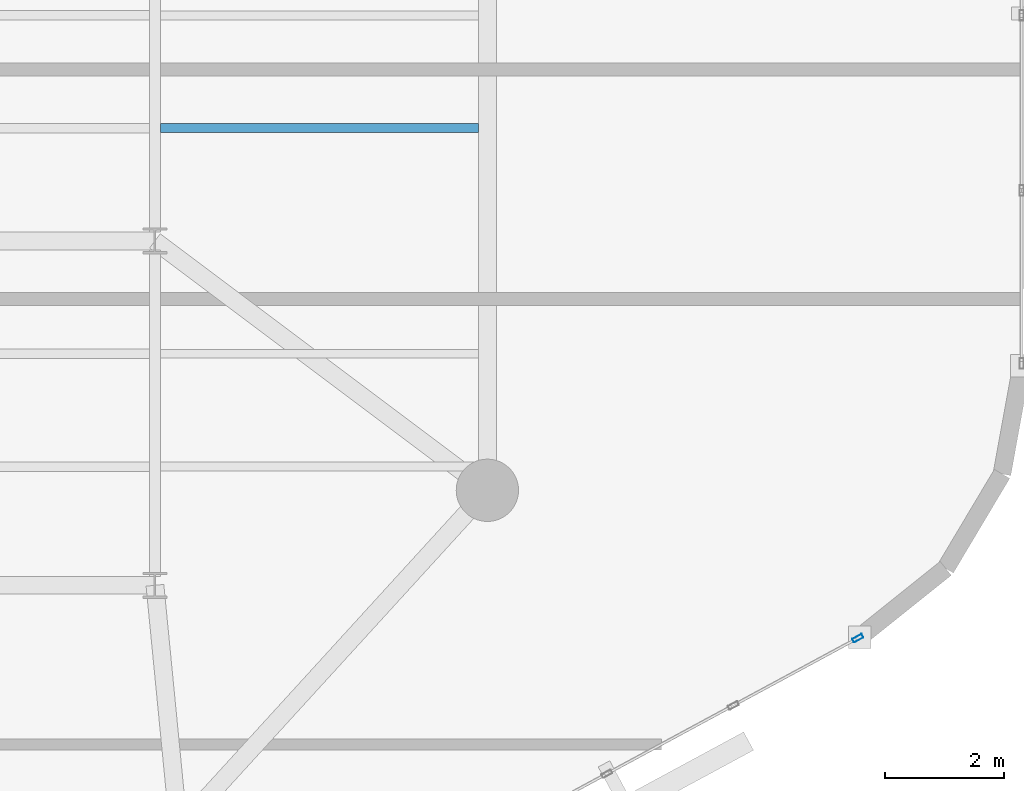
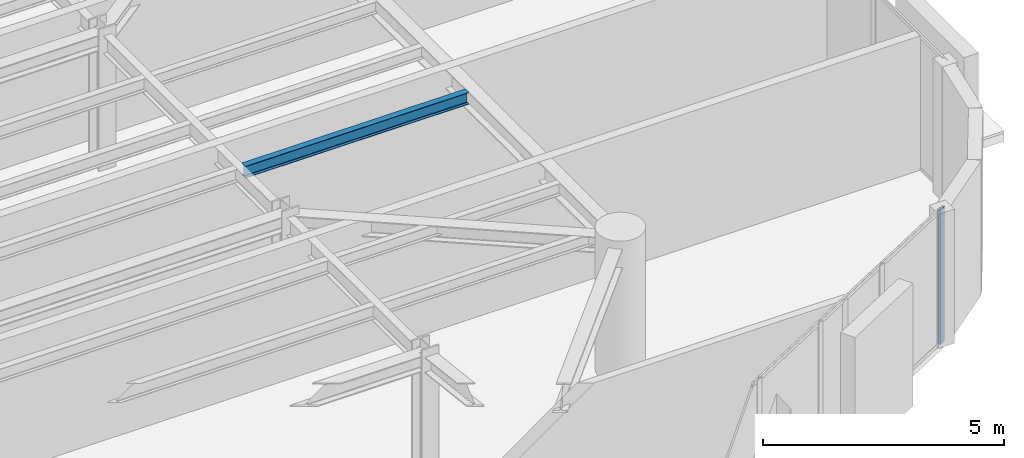
# One storey, part 3 of 13: 1 beam, 1 member, 1 element without a shape of its own.
"""IFC4 building model written with IfcOpenShell, lengths in metres."""

from ifc_helpers import new_model, si_unit, direction, frame, origin, origin_2d, place, context, subcontext, project, spatial, hollow_rectangle, i_section, extrude, material, layer, layer_set, material_profile, profile_set, type_object, element, aggregate, save


model = new_model("IFC4")

# Units and contexts
model_context = context("Model", 3, precision=1e-05, world=origin(), true_north=direction((0.0, 1.0)))
body_context = subcontext(model_context, "Body", "Model", "MODEL_VIEW")
ifc_project = project(units=[si_unit("LENGTHUNIT", "METRE"), si_unit("AREAUNIT", "SQUARE_METRE"), si_unit("VOLUMEUNIT", "CUBIC_METRE"), si_unit("PLANEANGLEUNIT", "RADIAN"), si_unit("MASSUNIT", "GRAM", prefix="KILO")], contexts=[model_context])

# Site, building, storey
site_placement = place(None, origin())
site = spatial("IfcSite", under=ifc_project, at=site_placement, CompositionType="ELEMENT")
building_placement = place(site_placement, origin())
building = spatial("IfcBuilding", under=site, at=building_placement, Name="An Khanh Terracotta Commons", CompositionType="ELEMENT")
storey_placement = place(building_placement, frame((0.0, 0.0, 222.89990234375)))
storey = spatial("IfcBuildingStorey", under=building, at=storey_placement, Name="L58", CompositionType="ELEMENT", Elevation=222.89990234375)

# Beam
ifc_material_1 = material(Name="Steel S355J2", Category="steel")
ifc_material_profile_1 = material_profile(ifc_material_1, i_section(OverallWidth=0.14990234375, OverallDepth=0.300048828125, WebThickness=0.007080078125, FlangeThickness=0.0107421875, FilletRadius=0.014892578125, at=origin_2d()), Name="IPE300")
ifc_profile_set_1 = profile_set([ifc_material_profile_1], Name="Steel S355J2")
beam_type = type_object("IfcBeamType", Name="BM-IPE300", PredefinedType="JOIST", material=ifc_profile_set_1)
beam_placement = place(storey_placement, frame((54.094970703125, 22.10009765625, 3.25), z_axis=(1.0, 0.0, 0.0), x_axis=(0.0, 1.0, 0.0)))
element("IfcBeam", 1, at=beam_placement, inside=storey, type_object=beam_type, Name="L58 Riverfront Composite Joist 3", PredefinedType="JOIST", context=body_context, shape_type="SweptSolid", body=[
    extrude(i_section(OverallWidth=0.14990234375, OverallDepth=0.300048828125, WebThickness=0.007080078125, FlangeThickness=0.0107421875, FilletRadius=0.014892578125, at=origin_2d()), origin(), (0.0, 0.0, 1.0), 5.35498046875),
])

# Curtain wall, member
ifc_material_2 = material(Name="Anodised Aluminium 6063-T6", Category="aluminium")
ifc_layer = layer(ifc_material_2, 0.2099609375, Name="Anodised Aluminium 6063-T6")
ifc_layer_set = layer_set([ifc_layer], Name="Anodised Aluminium 6063-T6")
curtain_wall_type = type_object("IfcCurtainWallType", Name="CW-SYS-03", PredefinedType="USERDEFINED", material=ifc_layer_set)
curtain_wall_placement = place(storey_placement, origin())
curtain_wall = element("IfcCurtainWall", 2, at=curtain_wall_placement, inside=storey, type_object=curtain_wall_type, Name="L58 CW-03 Unitised Curtain Wall CW-L58-08", ObjectType="UNITISED CURTAIN WALL", PredefinedType="USERDEFINED")
ifc_material_profile_2 = material_profile(ifc_material_2, hollow_rectangle(XDim=0.070068359375, YDim=0.179931640625, WallThickness=0.00390625, InnerFilletRadius=0.00390625, OuterFilletRadius=0.008056640625, at=origin_2d()), Name="RHS180x70x4")
ifc_profile_set_2 = profile_set([ifc_material_profile_2], Name="Anodised Aluminium 6063-T6")
member_type = type_object("IfcMemberType", Name="CWM-RHS180x70x4", PredefinedType="MULLION", material=ifc_profile_set_2)
member_placement = place(storey_placement, frame((65.84130859375, 13.50927734375, 0.0), z_axis=(0.0, 0.0, 1.0), x_axis=(-0.47538088298, 0.879780095306, 0.0)))
member = element("IfcMember", 3, at=member_placement, type_object=member_type, Name="CW-03 mullion 5", PredefinedType="MULLION", context=body_context, shape_type="SweptSolid", body=[
    extrude(hollow_rectangle(XDim=0.070068359375, YDim=0.179931640625, WallThickness=0.00390625, InnerFilletRadius=0.00390625, OuterFilletRadius=0.008056640625, at=origin_2d()), origin(), (0.0, 0.0, 1.0), 3.400146484375),
])
aggregate(curtain_wall, [member])

save(model, "model.ifc")
